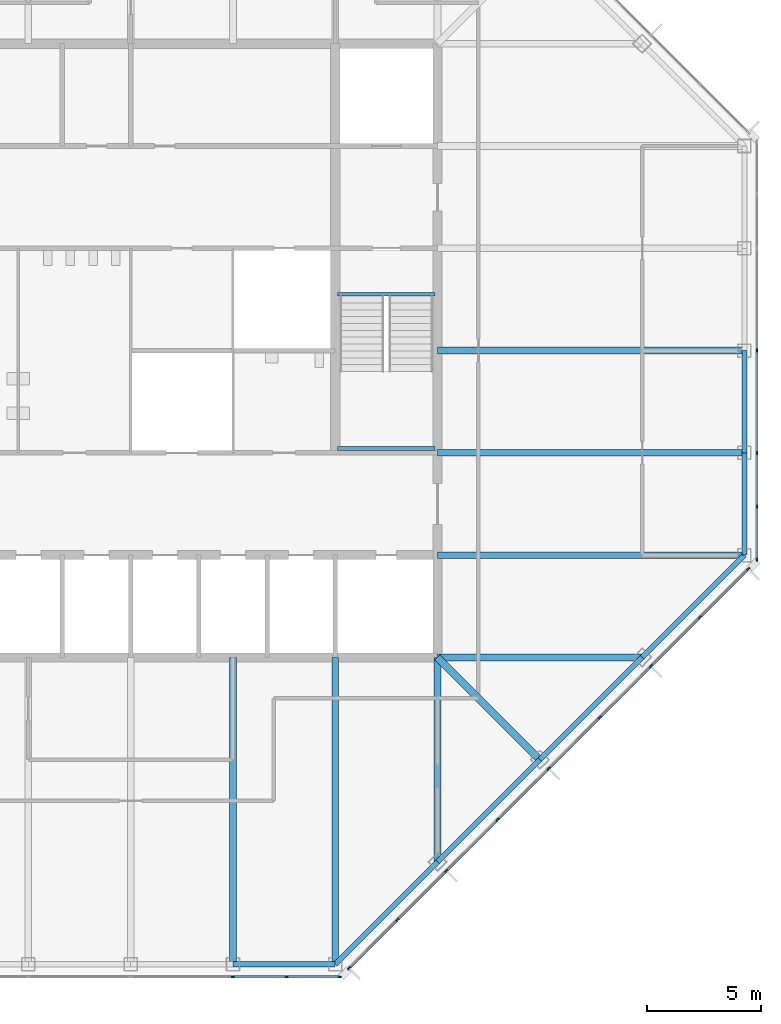
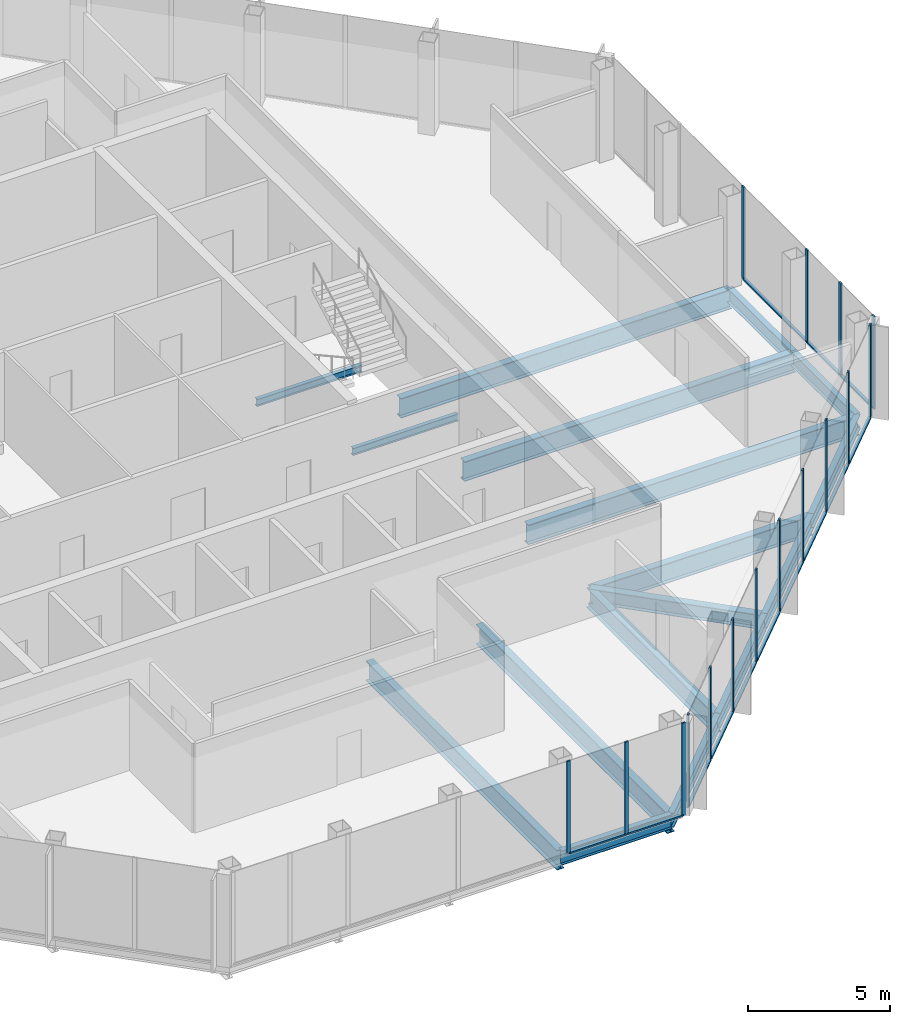
# One storey, part 4 of 14: 29 members, 17 beams, 3 elements without a shape of their own.
"""IFC4 building model written with IfcOpenShell, lengths in metres."""

import ifcopenshell
import ifcopenshell.guid

model = None  # the IFC model being written
_history = None  # IfcOwnerHistory: only IFC2X3 demands one
_inside = {}  # id of a spatial element -> (the spatial element, [elements in it])
_under = {}  # id of a project, library or spatial element -> (it, [spatial elements below it])
_declared = {}  # id of a project -> (the project, [libraries it declares])
_typed = {}  # id of a type object -> (the type object, [elements of that type])
_made_of = {}  # id of a material, layer set ... -> (it, [elements and type objects made of it])


def new_model(schema):
    """Start an empty IFC model of exactly this schema.

    Asked for "IFC4X3", IfcOpenShell would pick the latest addendum, in which some entities
    have other attributes; the version numbers below select the first issue.
    IFC2X3 requires an IfcOwnerHistory on every rooted entity: one is made here for all.
    """
    global model, _history
    if schema == "IFC4X3":
        model = ifcopenshell.file(schema_version=(4, 3, 0, 0))
    else:
        model = ifcopenshell.file(schema=schema)
    _inside.clear()
    _under.clear()
    _declared.clear()
    _typed.clear()
    _made_of.clear()
    _history = None
    if model.schema == "IFC2X3":
        org = make("IfcOrganization", Name="unknown")
        user = make(
            "IfcPersonAndOrganization",
            ThePerson=make("IfcPerson", FamilyName="unknown"),
            TheOrganization=org,
        )
        app = make(
            "IfcApplication",
            ApplicationDeveloper=org,
            Version="unknown",
            ApplicationFullName="unknown",
            ApplicationIdentifier="unknown",
        )
        _history = make(
            "IfcOwnerHistory",
            OwningUser=user,
            OwningApplication=app,
            ChangeAction="ADDED",
            CreationDate=0,
        )
    return model


def make(cls, **values):
    """One entity of the class cls with the attributes given. An attribute that is None is left unset."""
    return model.create_entity(
        cls, **{name: value for name, value in values.items() if value is not None}
    )


def rooted(cls, **values):
    """An entity with a GlobalId (a new one), such as an element, a storey or a relation."""
    return make(cls, GlobalId=ifcopenshell.guid.new(), OwnerHistory=_history, **values)


def si_unit(unit_type, name, prefix=None):
    """IfcSIUnit, for example si_unit("LENGTHUNIT", "METRE", prefix="MILLI")."""
    return make("IfcSIUnit", UnitType=unit_type, Prefix=prefix, Name=name)


def assignment(units):
    """IfcUnitAssignment: the units of a project."""
    return None if units is None else make("IfcUnitAssignment", Units=units)


def point(xyz):
    """IfcCartesianPoint."""
    return None if xyz is None else make("IfcCartesianPoint", Coordinates=xyz)


def direction(xyz):
    """IfcDirection."""
    return None if xyz is None else make("IfcDirection", DirectionRatios=xyz)


def frame(location, z_axis=None, x_axis=None):
    """IfcAxis2Placement3D, a coordinate frame: its origin and axes. An axis left out is left unset."""
    return make(
        "IfcAxis2Placement3D",
        Location=point(location),
        Axis=direction(z_axis),
        RefDirection=direction(x_axis),
    )


def frame_2d(location, x_axis=None):
    """IfcAxis2Placement2D, a coordinate frame in the plane: its origin and x axis."""
    return make(
        "IfcAxis2Placement2D", Location=point(location), RefDirection=direction(x_axis)
    )


def origin():
    """The frame at (0, 0, 0) with its axes left unset."""
    return frame((0.0, 0.0, 0.0))


def origin_2d():
    """The frame at (0, 0) in the plane with its x axis left unset."""
    return frame_2d((0.0, 0.0))


def place(relative_to, where):
    """IfcLocalPlacement: puts the frame where relative to a parent placement (None: the world)."""
    return make(
        "IfcLocalPlacement", PlacementRelTo=relative_to, RelativePlacement=where
    )


def context(
    kind, dimensions, precision=None, world=None, true_north=None, identifier=None
):
    """IfcGeometricRepresentationContext, for example the 3D "Model" context."""
    return make(
        "IfcGeometricRepresentationContext",
        ContextIdentifier=identifier,
        ContextType=kind,
        CoordinateSpaceDimension=dimensions,
        Precision=precision,
        WorldCoordinateSystem=world,
        TrueNorth=true_north,
    )


def subcontext(parent, identifier, kind, view, scale=None):
    """IfcGeometricRepresentationSubContext, for example "Body" below "Model"."""
    return make(
        "IfcGeometricRepresentationSubContext",
        ContextIdentifier=identifier,
        ContextType=kind,
        ParentContext=parent,
        TargetScale=scale,
        TargetView=view,
    )


def project(units=None, contexts=None):
    """IfcProject with its units and contexts."""
    return rooted(
        "IfcProject",
        Name="project",
        RepresentationContexts=contexts,
        UnitsInContext=assignment(units),
    )


def spatial(cls, under=None, at=None, **own):
    """A site, building, storey or space (cls), placed at a placement, below another one or the project."""
    s = rooted(cls, ObjectPlacement=at, **own)
    if under is not None:
        _under.setdefault(under.id(), (under, []))[1].append(s)
    return s


def profile(cls, at=None, kind="AREA", **sizes):
    """A parametric profile (cls). Its sizes go by their IFC names, for example OverallWidth=200.0."""
    return make(cls, ProfileType=kind, Position=at, **sizes)


def rectangle(**sizes):
    """IfcRectangleProfileDef."""
    return profile("IfcRectangleProfileDef", **sizes)


def i_section(**sizes):
    """IfcIShapeProfileDef."""
    return profile("IfcIShapeProfileDef", **sizes)


def extrude(swept, where, along, depth):
    """IfcExtrudedAreaSolid: the profile swept, set in the frame where, extruded along a direction by depth."""
    return make(
        "IfcExtrudedAreaSolid",
        SweptArea=swept,
        Position=where,
        ExtrudedDirection=direction(along),
        Depth=depth,
    )


def shape(context_of_items, identifier, shape_type, items):
    """IfcShapeRepresentation: the items that make up one representation, for example the "Body"."""
    return make(
        "IfcShapeRepresentation",
        ContextOfItems=context_of_items,
        RepresentationIdentifier=identifier,
        RepresentationType=shape_type,
        Items=items,
    )


def material(Name=None, Category=None):
    """IfcMaterial."""
    return make("IfcMaterial", Name=Name, Category=Category)


def material_profile(
    of_material, cross_section, Name=None, Category=None, Priority=None
):
    """IfcMaterialProfile: a cross section and its material."""
    return make(
        "IfcMaterialProfile",
        Name=Name,
        Material=of_material,
        Profile=cross_section,
        Priority=Priority,
        Category=Category,
    )


def profile_set(profiles, Name=None, composite=None):
    """IfcMaterialProfileSet."""
    return make(
        "IfcMaterialProfileSet",
        Name=Name,
        MaterialProfiles=profiles,
        CompositeProfile=composite,
    )


def made_of(thing, what):
    """Note that an element or type object is made of a material, layer set ...; save() writes the relation."""
    if what is not None:
        _made_of.setdefault(what.id(), (what, []))[1].append(thing)
    return thing


def type_object(cls, material=None, **own):
    """A type object (cls), such as IfcWallType, which elements share."""
    return made_of(rooted(cls, **own), material)


def element(
    cls,
    number,
    at=None,
    inside=None,
    cuts=None,
    type_object=None,
    material=None,
    context=None,
    identifier="Body",
    shape_type=None,
    held_by="IfcProductDefinitionShape",
    body=None,
    shapes=None,
    **own,
):
    """One element of the class cls, such as IfcWall. Its Tag is "e" and its number.

    at: its placement. inside: the storey or other place that contains it. cuts: it is an
    opening in that element (IfcRelVoidsElement). A single representation is given by context,
    identifier, shape_type and body (its items); several are given by shapes. held_by: the class
    of the entity that holds the representations. save() writes the other relations.
    """
    e = rooted(cls, Tag="e%d" % number, ObjectPlacement=at, **own)
    if body is not None:
        shapes = [shape(context, identifier, shape_type, body)]
    if shapes is not None:
        e.Representation = make(held_by, Representations=shapes)
    if inside is not None:
        _inside.setdefault(inside.id(), (inside, []))[1].append(e)
    if cuts is not None:
        rooted(
            "IfcRelVoidsElement", RelatingBuildingElement=cuts, RelatedOpeningElement=e
        )
    if type_object is not None:
        _typed.setdefault(type_object.id(), (type_object, []))[1].append(e)
    return made_of(e, material)


def aggregate(whole, parts):
    """IfcRelAggregates: a whole, such as a stair, and the parts it consists of."""
    return rooted("IfcRelAggregates", RelatingObject=whole, RelatedObjects=parts)


def save(model, path):
    """Write the relations noted so far, then the file.

    IfcRelAggregates (storeys below a building ...), IfcRelContainedInSpatialStructure (elements
    in a storey), IfcRelDefinesByType, IfcRelAssociatesMaterial and IfcRelDeclares: one each for
    every whole, place, type object, material and project.
    """
    for whole, parts in _under.values():
        aggregate(whole, parts)
    for where, things in _inside.values():
        rooted(
            "IfcRelContainedInSpatialStructure",
            RelatedElements=things,
            RelatingStructure=where,
        )
    for kind, things in _typed.values():
        rooted("IfcRelDefinesByType", RelatedObjects=things, RelatingType=kind)
    for what, things in _made_of.values():
        rooted("IfcRelAssociatesMaterial", RelatedObjects=things, RelatingMaterial=what)
    for by, libraries in _declared.values():
        rooted("IfcRelDeclares", RelatingContext=by, RelatedDefinitions=libraries)
    model.write(path)


model = new_model("IFC4")

# Units and contexts
model_context = context("Model", 3, precision=1e-05, world=origin(), true_north=direction((0.0, 1.0)))
body_context = subcontext(model_context, "Body", "Model", "MODEL_VIEW")
ifc_project = project(units=[si_unit("LENGTHUNIT", "METRE"), si_unit("AREAUNIT", "SQUARE_METRE"), si_unit("VOLUMEUNIT", "CUBIC_METRE"), si_unit("PLANEANGLEUNIT", "RADIAN"), si_unit("MASSUNIT", "GRAM", prefix="KILO")], contexts=[model_context])

# Site, building, storey
site_placement = place(None, origin())
site = spatial("IfcSite", under=ifc_project, at=site_placement, CompositionType="ELEMENT")
building_placement = place(site_placement, origin())
building = spatial("IfcBuilding", under=site, at=building_placement, Name="Corais Broadcast Tower", CompositionType="ELEMENT")
storey_placement = place(building_placement, frame((0.0, 0.0, 262.60009765625)))
storey = spatial("IfcBuildingStorey", under=building, at=storey_placement, Name="L61", CompositionType="ELEMENT", Elevation=262.60009765625)

# Beams
ifc_material_1 = material(Name="Steel ASTM A572 Grade 50", Category="steel")
ifc_material_profile_1 = material_profile(ifc_material_1, i_section(OverallWidth=0.323974609375, OverallDepth=0.611083984375, WebThickness=0.0126953125, FlangeThickness=0.01904296875, at=origin_2d()), Name="W610x155")
ifc_profile_set_1 = profile_set([ifc_material_profile_1], Name="Steel ASTM A572 Grade 50")
beam_type_1 = type_object("IfcBeamType", Name="Corner diagonal W610x155", PredefinedType="BEAM", material=ifc_profile_set_1)
beam_1_placement = place(storey_placement, frame((45.0, 9.0, -0.465576171875), z_axis=(-0.707106781187, 0.707106781187, 0.0), x_axis=(-0.707106781187, -0.707106781187, 0.0)))
element("IfcBeam", 1, at=beam_1_placement, inside=storey, type_object=beam_type_1, Name="B6 C/13 to D/12", PredefinedType="BEAM", context=body_context, shape_type="SweptSolid", body=[
    extrude(i_section(OverallWidth=0.323974609375, OverallDepth=0.611083984375, WebThickness=0.0126953125, FlangeThickness=0.01904296875, at=origin_2d()), origin(), (0.0, 0.0, 1.0), 6.364013671875),
])
ifc_material_2 = material(Name="Steel ASTM A572 Grade 50", Category="steel")
ifc_material_profile_2 = material_profile(ifc_material_2, i_section(OverallWidth=0.2939453125, OverallDepth=0.85107421875, WebThickness=0.01611328125, FlangeThickness=0.02685546875, at=origin_2d()), Name="W840x226")
ifc_profile_set_2 = profile_set([ifc_material_profile_2], Name="Steel ASTM A572 Grade 50")
beam_type_2 = type_object("IfcBeamType", Name="Floor beam W840x226", PredefinedType="BEAM", material=ifc_profile_set_2)
for number, where, z_axis, x_axis, name in (
    (2, (31.5, 0.0, -0.585693359375), (0.0, 1.0, 0.0), (-1.0, 0.0, 0.0), "B1 A/10 to D/10"),
    (3, (36.0, 0.0, -0.585693359375), (0.0, 1.0, 0.0), (-1.0, 0.0, 0.0), "B1 A/11 to D/11"),
):
    element("IfcBeam", number, at=place(storey_placement, frame(where, z_axis=z_axis, x_axis=x_axis)), inside=storey, type_object=beam_type_2, Name=name, PredefinedType="BEAM", context=body_context, shape_type="SweptSolid", body=[
        extrude(i_section(OverallWidth=0.2939453125, OverallDepth=0.85107421875, WebThickness=0.01611328125, FlangeThickness=0.02685546875, at=origin_2d()), origin(), (0.0, 0.0, 1.0), 13.5),
    ])
for number, where, z_axis, x_axis, name in (
    (4, (40.5, 4.5, -0.585693359375), (0.0, 1.0, 0.0), (-1.0, 0.0, 0.0), "B1 B/12 to D/12"),
    (5, (49.5, 13.5, -0.585693359375), (-1.0, 0.0, 0.0), (0.0, -1.0, 0.0), "B1 D/14 to D/12"),
):
    element("IfcBeam", number, at=place(storey_placement, frame(where, z_axis=z_axis, x_axis=x_axis)), inside=storey, type_object=beam_type_2, Name=name, PredefinedType="BEAM", context=body_context, shape_type="SweptSolid", body=[
        extrude(i_section(OverallWidth=0.2939453125, OverallDepth=0.85107421875, WebThickness=0.01611328125, FlangeThickness=0.02685546875, at=origin_2d()), origin(), (0.0, 0.0, 1.0), 9.0),
    ])
for number, where, z_axis, x_axis, name in (
    (6, (54.0, 18.0, -0.585693359375), (-1.0, 0.0, 0.0), (0.0, -1.0, 0.0), "B1 E/15 to E/12"),
    (7, (54.0, 22.5, -0.585693359375), (-1.0, 0.0, 0.0), (0.0, -1.0, 0.0), "B1 F/15 to F/12"),
    (8, (54.0, 27.0, -0.585693359375), (-1.0, 0.0, 0.0), (0.0, -1.0, 0.0), "B1 G/15 to G/12"),
):
    element("IfcBeam", number, at=place(storey_placement, frame(where, z_axis=z_axis, x_axis=x_axis)), inside=storey, type_object=beam_type_2, Name=name, PredefinedType="BEAM", context=body_context, shape_type="SweptSolid", body=[
        extrude(i_section(OverallWidth=0.2939453125, OverallDepth=0.85107421875, WebThickness=0.01611328125, FlangeThickness=0.02685546875, at=origin_2d()), origin(), (0.0, 0.0, 1.0), 13.5),
    ])
ifc_material_3 = material(Name="Steel ASTM A572 Grade 50", Category="steel")
ifc_material_profile_3 = material_profile(ifc_material_3, i_section(OverallWidth=0.1650390625, OverallDepth=0.31005859375, WebThickness=0.005859375, FlangeThickness=0.009765625, at=origin_2d()), Name="W310x38.7")
ifc_profile_set_3 = profile_set([ifc_material_profile_3], Name="Steel ASTM A572 Grade 50")
beam_type_3 = type_object("IfcBeamType", Name="Landing trimmer W310x38.7", PredefinedType="BEAM", material=ifc_profile_set_3)
for number, where, z_axis, x_axis, name in (
    (9, (36.10009765625, 29.47509765625, -0.35498046875), (1.0, 0.0, 0.0), (0.0, 1.0, 0.0), "LT1 stair B landing trimmer L61"),
    (10, (36.10009765625, 22.68994140625, 1.64501953125), (1.0, 0.0, 0.0), (0.0, 1.0, 0.0), "LT1 stair B half landing trimmer L61"),
):
    element("IfcBeam", number, at=place(storey_placement, frame(where, z_axis=z_axis, x_axis=x_axis)), inside=storey, type_object=beam_type_3, Name=name, PredefinedType="BEAM", context=body_context, shape_type="SweptSolid", body=[
        extrude(i_section(OverallWidth=0.1650390625, OverallDepth=0.31005859375, WebThickness=0.005859375, FlangeThickness=0.009765625, at=origin_2d()), origin(), (0.0, 0.0, 1.0), 4.2998046875),
    ])

# Curtain wall, members
ifc_material_4 = material(Name="Aluminium and glass", Category="aluminium")
curtain_wall_type = type_object("IfcCurtainWallType", Name="Unitised fritted curtain wall CW3", PredefinedType="NOTDEFINED", material=ifc_material_4)
curtain_wall_1_placement = place(storey_placement, origin())
curtain_wall_1 = element("IfcCurtainWall", 11, at=curtain_wall_1_placement, inside=storey, type_object=curtain_wall_type, Name="CW3 curtain wall L61 6", PredefinedType="NOTDEFINED")
ifc_material_5 = material(Name="Aluminium 6063-T6", Category="aluminium")
ifc_material_profile_4 = material_profile(ifc_material_5, rectangle(XDim=0.06494140625, YDim=0.159912109375, at=origin_2d()), Name="Mullion CW3 65x160")
ifc_profile_set_4 = profile_set([ifc_material_profile_4], Name="Aluminium 6063-T6")
member_type_1 = type_object("IfcMemberType", Name="Mullion CW3 65x160", PredefinedType="MULLION", material=ifc_profile_set_4)
member_1_placement = place(storey_placement, frame((54.550048828125, 27.0, 0.0), z_axis=(0.0, 0.0, 1.0), x_axis=(1.0, 0.0, 0.0)))
member_1 = element("IfcMember", 12, at=member_1_placement, type_object=member_type_1, Name="CW3 mullion 4", PredefinedType="MULLION", context=body_context, shape_type="SweptSolid", body=[
    extrude(rectangle(XDim=0.06494140625, YDim=0.159912109375, at=origin_2d()), origin(), (0.0, 0.0, 1.0), 4.0),
])
member_2_placement = place(storey_placement, frame((54.550048828125, 22.5, 0.0), z_axis=(0.0, 0.0, 1.0), x_axis=(1.0, 0.0, 0.0)))
member_2 = element("IfcMember", 13, at=member_2_placement, type_object=member_type_1, Name="CW3 mullion 5", PredefinedType="MULLION", context=body_context, shape_type="SweptSolid", body=[
    extrude(rectangle(XDim=0.06494140625, YDim=0.159912109375, at=origin_2d()), origin(), (0.0, 0.0, 1.0), 4.0),
])
member_3_placement = place(storey_placement, frame((54.550048828125, 20.135986328125, 0.0), z_axis=(0.0, 0.0, 1.0), x_axis=(1.0, 0.0, 0.0)))
member_3 = element("IfcMember", 14, at=member_3_placement, type_object=member_type_1, Name="CW3 mullion 6", PredefinedType="MULLION", context=body_context, shape_type="SweptSolid", body=[
    extrude(rectangle(XDim=0.06494140625, YDim=0.159912109375, at=origin_2d()), origin(), (0.0, 0.0, 1.0), 4.0),
])
member_4_placement = place(storey_placement, frame((54.550048828125, 17.8046875, 0.0), z_axis=(0.0, 0.0, 1.0), x_axis=(1.0, 0.0, 0.0)))
member_4 = element("IfcMember", 15, at=member_4_placement, type_object=member_type_1, Name="CW3 mullion 7", PredefinedType="MULLION", context=body_context, shape_type="SweptSolid", body=[
    extrude(rectangle(XDim=0.06494140625, YDim=0.159912109375, at=origin_2d()), origin(), (0.0, 0.0, 1.0), 4.0),
])

curtain_wall_2_placement = place(storey_placement, origin())
curtain_wall_2 = element("IfcCurtainWall", 16, at=curtain_wall_2_placement, inside=storey, type_object=curtain_wall_type, Name="CW3 curtain wall L61 7", PredefinedType="NOTDEFINED")
member_5_placement = place(storey_placement, frame((54.17333984375, 17.3955078125, 0.0), z_axis=(0.0, 0.0, 1.0), x_axis=(0.707106781187, -0.707106781187, 0.0)))
member_5 = element("IfcMember", 17, at=member_5_placement, type_object=member_type_1, Name="CW3 mullion 1", PredefinedType="MULLION", context=body_context, shape_type="SweptSolid", body=[
    extrude(rectangle(XDim=0.06494140625, YDim=0.159912109375, at=origin_2d()), origin(), (0.0, 0.0, 1.0), 4.0),
])
member_6_placement = place(storey_placement, frame((52.042724609375, 15.264892578125, 0.0), z_axis=(0.0, 0.0, 1.0), x_axis=(0.707106781187, -0.707106781187, 0.0)))
member_6 = element("IfcMember", 18, at=member_6_placement, type_object=member_type_1, Name="CW3 mullion 2", PredefinedType="MULLION", context=body_context, shape_type="SweptSolid", body=[
    extrude(rectangle(XDim=0.06494140625, YDim=0.159912109375, at=origin_2d()), origin(), (0.0, 0.0, 1.0), 4.0),
])
member_7_placement = place(storey_placement, frame((49.888916015625, 13.111083984375, 0.0), z_axis=(0.0, 0.0, 1.0), x_axis=(0.707106781187, -0.707106781187, 0.0)))
member_7 = element("IfcMember", 19, at=member_7_placement, type_object=member_type_1, Name="CW3 mullion 3", PredefinedType="MULLION", context=body_context, shape_type="SweptSolid", body=[
    extrude(rectangle(XDim=0.06494140625, YDim=0.159912109375, at=origin_2d()), origin(), (0.0, 0.0, 1.0), 4.0),
])
member_8_placement = place(storey_placement, frame((47.638916015625, 10.861083984375, 0.0), z_axis=(0.0, 0.0, 1.0), x_axis=(0.707106781187, -0.707106781187, 0.0)))
member_8 = element("IfcMember", 20, at=member_8_placement, type_object=member_type_1, Name="CW3 mullion 4", PredefinedType="MULLION", context=body_context, shape_type="SweptSolid", body=[
    extrude(rectangle(XDim=0.06494140625, YDim=0.159912109375, at=origin_2d()), origin(), (0.0, 0.0, 1.0), 4.0),
])
member_9_placement = place(storey_placement, frame((45.388916015625, 8.611083984375, 0.0), z_axis=(0.0, 0.0, 1.0), x_axis=(0.707106781187, -0.707106781187, 0.0)))
member_9 = element("IfcMember", 21, at=member_9_placement, type_object=member_type_1, Name="CW3 mullion 5", PredefinedType="MULLION", context=body_context, shape_type="SweptSolid", body=[
    extrude(rectangle(XDim=0.06494140625, YDim=0.159912109375, at=origin_2d()), origin(), (0.0, 0.0, 1.0), 4.0),
])
member_10_placement = place(storey_placement, frame((43.138916015625, 6.361083984375, 0.0), z_axis=(0.0, 0.0, 1.0), x_axis=(0.707106781187, -0.707106781187, 0.0)))
member_10 = element("IfcMember", 22, at=member_10_placement, type_object=member_type_1, Name="CW3 mullion 6", PredefinedType="MULLION", context=body_context, shape_type="SweptSolid", body=[
    extrude(rectangle(XDim=0.06494140625, YDim=0.159912109375, at=origin_2d()), origin(), (0.0, 0.0, 1.0), 4.0),
])
member_11_placement = place(storey_placement, frame((40.888916015625, 4.111083984375, 0.0), z_axis=(0.0, 0.0, 1.0), x_axis=(0.707106781187, -0.707106781187, 0.0)))
member_11 = element("IfcMember", 23, at=member_11_placement, type_object=member_type_1, Name="CW3 mullion 7", PredefinedType="MULLION", context=body_context, shape_type="SweptSolid", body=[
    extrude(rectangle(XDim=0.06494140625, YDim=0.159912109375, at=origin_2d()), origin(), (0.0, 0.0, 1.0), 4.0),
])
member_12_placement = place(storey_placement, frame((38.735107421875, 1.957275390625, 0.0), z_axis=(0.0, 0.0, 1.0), x_axis=(0.707106781187, -0.707106781187, 0.0)))
member_12 = element("IfcMember", 24, at=member_12_placement, type_object=member_type_1, Name="CW3 mullion 8", PredefinedType="MULLION", context=body_context, shape_type="SweptSolid", body=[
    extrude(rectangle(XDim=0.06494140625, YDim=0.159912109375, at=origin_2d()), origin(), (0.0, 0.0, 1.0), 4.0),
])
member_13_placement = place(storey_placement, frame((36.6044921875, -0.17333984375, 0.0), z_axis=(0.0, 0.0, 1.0), x_axis=(0.707106781187, -0.707106781187, 0.0)))
member_13 = element("IfcMember", 25, at=member_13_placement, type_object=member_type_1, Name="CW3 mullion 9", PredefinedType="MULLION", context=body_context, shape_type="SweptSolid", body=[
    extrude(rectangle(XDim=0.06494140625, YDim=0.159912109375, at=origin_2d()), origin(), (0.0, 0.0, 1.0), 4.0),
])

curtain_wall_3_placement = place(storey_placement, origin())
curtain_wall_3 = element("IfcCurtainWall", 26, at=curtain_wall_3_placement, inside=storey, type_object=curtain_wall_type, Name="CW3 curtain wall L61 8", PredefinedType="NOTDEFINED")
member_14_placement = place(storey_placement, frame((36.1953125, -0.550048828125, 0.0), z_axis=(0.0, 0.0, 1.0), x_axis=(0.0, -1.0, 0.0)))
member_14 = element("IfcMember", 27, at=member_14_placement, type_object=member_type_1, Name="CW3 mullion 1", PredefinedType="MULLION", context=body_context, shape_type="SweptSolid", body=[
    extrude(rectangle(XDim=0.06494140625, YDim=0.159912109375, at=origin_2d()), origin(), (0.0, 0.0, 1.0), 4.0),
])
member_15_placement = place(storey_placement, frame((33.864013671875, -0.550048828125, 0.0), z_axis=(0.0, 0.0, 1.0), x_axis=(0.0, -1.0, 0.0)))
member_15 = element("IfcMember", 28, at=member_15_placement, type_object=member_type_1, Name="CW3 mullion 2", PredefinedType="MULLION", context=body_context, shape_type="SweptSolid", body=[
    extrude(rectangle(XDim=0.06494140625, YDim=0.159912109375, at=origin_2d()), origin(), (0.0, 0.0, 1.0), 4.0),
])
member_16_placement = place(storey_placement, frame((31.5, -0.550048828125, 0.0), z_axis=(0.0, 0.0, 1.0), x_axis=(0.0, -1.0, 0.0)))
member_16 = element("IfcMember", 29, at=member_16_placement, type_object=member_type_1, Name="CW3 mullion 3", PredefinedType="MULLION", context=body_context, shape_type="SweptSolid", body=[
    extrude(rectangle(XDim=0.06494140625, YDim=0.159912109375, at=origin_2d()), origin(), (0.0, 0.0, 1.0), 4.0),
])

# Beams
ifc_material_6 = material(Name="Steel ASTM A572 Grade 50", Category="steel")
ifc_material_profile_5 = material_profile(ifc_material_6, i_section(OverallWidth=0.22998046875, OverallDepth=0.616943359375, WebThickness=0.01318359375, FlangeThickness=0.022216796875, at=origin_2d()), Name="W610x140")
ifc_profile_set_5 = profile_set([ifc_material_profile_5], Name="Steel ASTM A572 Grade 50")
beam_type_4 = type_object("IfcBeamType", Name="Spandrel W610x140", PredefinedType="BEAM", material=ifc_profile_set_5)
beam_2_placement = place(storey_placement, frame((31.5, 0.0, -0.468505859375), z_axis=(1.0, 0.0, 0.0), x_axis=(0.0, 1.0, 0.0)))
element("IfcBeam", 30, at=beam_2_placement, inside=storey, type_object=beam_type_4, Name="SB3 A/10 to A/11", PredefinedType="BEAM", context=body_context, shape_type="SweptSolid", body=[
    extrude(i_section(OverallWidth=0.22998046875, OverallDepth=0.616943359375, WebThickness=0.01318359375, FlangeThickness=0.022216796875, at=origin_2d()), origin(), (0.0, 0.0, 1.0), 4.5),
])
for number, where, z_axis, x_axis, name in (
    (31, (36.0, 0.0, -0.468505859375), (0.707106781187, 0.707106781187, 0.0), (-0.707106781187, 0.707106781187, 0.0), "SB3 A/11 to B/12"),
    (32, (40.5, 4.5, -0.468505859375), (0.707106781187, 0.707106781187, 0.0), (-0.707106781187, 0.707106781187, 0.0), "SB3 B/12 to C/13"),
    (33, (45.0, 9.0, -0.468505859375), (0.707106781187, 0.707106781187, 0.0), (-0.707106781187, 0.707106781187, 0.0), "SB3 C/13 to D/14"),
    (34, (49.5, 13.5, -0.468505859375), (0.707106781187, 0.707106781187, 0.0), (-0.707106781187, 0.707106781187, 0.0), "SB3 D/14 to E/15"),
):
    element("IfcBeam", number, at=place(storey_placement, frame(where, z_axis=z_axis, x_axis=x_axis)), inside=storey, type_object=beam_type_4, Name=name, PredefinedType="BEAM", context=body_context, shape_type="SweptSolid", body=[
        extrude(i_section(OverallWidth=0.22998046875, OverallDepth=0.616943359375, WebThickness=0.01318359375, FlangeThickness=0.022216796875, at=origin_2d()), origin(), (0.0, 0.0, 1.0), 6.364013671875),
    ])
for number, where, z_axis, x_axis, name in (
    (35, (54.0, 18.0, -0.468505859375), (0.0, 1.0, 0.0), (-1.0, 0.0, 0.0), "SB3 E/15 to F/15"),
    (36, (54.0, 22.5, -0.468505859375), (0.0, 1.0, 0.0), (-1.0, 0.0, 0.0), "SB3 F/15 to G/15"),
):
    element("IfcBeam", number, at=place(storey_placement, frame(where, z_axis=z_axis, x_axis=x_axis)), inside=storey, type_object=beam_type_4, Name=name, PredefinedType="BEAM", context=body_context, shape_type="SweptSolid", body=[
        extrude(i_section(OverallWidth=0.22998046875, OverallDepth=0.616943359375, WebThickness=0.01318359375, FlangeThickness=0.022216796875, at=origin_2d()), origin(), (0.0, 0.0, 1.0), 4.5),
    ])

# Member
ifc_material_7 = material(Name="Aluminium 6063-T6", Category="aluminium")
ifc_material_profile_6 = material_profile(ifc_material_7, rectangle(XDim=0.1201171875, YDim=0.06494140625, at=origin_2d()), Name="Transom CW3 65x120")
ifc_profile_set_6 = profile_set([ifc_material_profile_6], Name="Aluminium 6063-T6")
member_type_2 = type_object("IfcMemberType", Name="Transom CW3 65x120", PredefinedType="USERDEFINED", material=ifc_profile_set_6)
member_17_placement = place(storey_placement, frame((54.550048828125, 26.967529296875, 0.032470703125), z_axis=(0.0, -1.0, 0.0), x_axis=(1.0, 0.0, 0.0)))
member_17 = element("IfcMember", 37, at=member_17_placement, type_object=member_type_2, Name="CW3 transom 4.1", ObjectType="TRANSOM", PredefinedType="USERDEFINED", context=body_context, shape_type="SweptSolid", body=[
    extrude(rectangle(XDim=0.1201171875, YDim=0.06494140625, at=origin_2d()), origin(), (0.0, 0.0, 1.0), 4.43505859375),
])

member_18_placement = place(storey_placement, frame((54.550048828125, 22.467529296875, 0.032470703125), z_axis=(0.0, -1.0, 0.0), x_axis=(1.0, 0.0, 0.0)))
member_18 = element("IfcMember", 38, at=member_18_placement, type_object=member_type_2, Name="CW3 transom 5.1", ObjectType="TRANSOM", PredefinedType="USERDEFINED", context=body_context, shape_type="SweptSolid", body=[
    extrude(rectangle(XDim=0.1201171875, YDim=0.06494140625, at=origin_2d()), origin(), (0.0, 0.0, 1.0), 2.298828125),
])

member_19_placement = place(storey_placement, frame((54.550048828125, 20.103515625, 0.032470703125), z_axis=(0.0, -1.0, 0.0), x_axis=(1.0, 0.0, 0.0)))
member_19 = element("IfcMember", 39, at=member_19_placement, type_object=member_type_2, Name="CW3 transom 6.1", ObjectType="TRANSOM", PredefinedType="USERDEFINED", context=body_context, shape_type="SweptSolid", body=[
    extrude(rectangle(XDim=0.1201171875, YDim=0.06494140625, at=origin_2d()), origin(), (0.0, 0.0, 1.0), 2.266357421875),
])

aggregate(curtain_wall_1, [member_1, member_2, member_3, member_4, member_17, member_18, member_19])

member_20_placement = place(storey_placement, frame((54.150390625, 17.37255859375, 0.032470703125), z_axis=(-0.707106781187, -0.707106781187, 0.0), x_axis=(0.707106781187, -0.707106781187, 0.0)))
member_20 = element("IfcMember", 40, at=member_20_placement, type_object=member_type_2, Name="CW3 transom 1.1", ObjectType="TRANSOM", PredefinedType="USERDEFINED", context=body_context, shape_type="SweptSolid", body=[
    extrude(rectangle(XDim=0.1201171875, YDim=0.06494140625, at=origin_2d()), origin(), (0.0, 0.0, 1.0), 2.9482421875),
])

member_21_placement = place(storey_placement, frame((52.019775390625, 15.241943359375, 0.032470703125), z_axis=(-0.707106781187, -0.707106781187, 0.0), x_axis=(0.707106781187, -0.707106781187, 0.0)))
member_21 = element("IfcMember", 41, at=member_21_placement, type_object=member_type_2, Name="CW3 transom 2.1", ObjectType="TRANSOM", PredefinedType="USERDEFINED", context=body_context, shape_type="SweptSolid", body=[
    extrude(rectangle(XDim=0.1201171875, YDim=0.06494140625, at=origin_2d()), origin(), (0.0, 0.0, 1.0), 2.98095703125),
])

member_22_placement = place(storey_placement, frame((49.865966796875, 13.088134765625, 0.032470703125), z_axis=(-0.707106781187, -0.707106781187, 0.0), x_axis=(0.707106781187, -0.707106781187, 0.0)))
member_22 = element("IfcMember", 42, at=member_22_placement, type_object=member_type_2, Name="CW3 transom 3.1", ObjectType="TRANSOM", PredefinedType="USERDEFINED", context=body_context, shape_type="SweptSolid", body=[
    extrude(rectangle(XDim=0.1201171875, YDim=0.06494140625, at=origin_2d()), origin(), (0.0, 0.0, 1.0), 3.1171875),
])

member_23_placement = place(storey_placement, frame((47.615966796875, 10.838134765625, 0.032470703125), z_axis=(-0.707106781187, -0.707106781187, 0.0), x_axis=(0.707106781187, -0.707106781187, 0.0)))
member_23 = element("IfcMember", 43, at=member_23_placement, type_object=member_type_2, Name="CW3 transom 4.1", ObjectType="TRANSOM", PredefinedType="USERDEFINED", context=body_context, shape_type="SweptSolid", body=[
    extrude(rectangle(XDim=0.1201171875, YDim=0.06494140625, at=origin_2d()), origin(), (0.0, 0.0, 1.0), 3.1171875),
])

member_24_placement = place(storey_placement, frame((45.365966796875, 8.588134765625, 0.032470703125), z_axis=(-0.707106781187, -0.707106781187, 0.0), x_axis=(0.707106781187, -0.707106781187, 0.0)))
member_24 = element("IfcMember", 44, at=member_24_placement, type_object=member_type_2, Name="CW3 transom 5.1", ObjectType="TRANSOM", PredefinedType="USERDEFINED", context=body_context, shape_type="SweptSolid", body=[
    extrude(rectangle(XDim=0.1201171875, YDim=0.06494140625, at=origin_2d()), origin(), (0.0, 0.0, 1.0), 3.1171875),
])

member_25_placement = place(storey_placement, frame((43.115966796875, 6.338134765625, 0.032470703125), z_axis=(-0.707106781187, -0.707106781187, 0.0), x_axis=(0.707106781187, -0.707106781187, 0.0)))
member_25 = element("IfcMember", 45, at=member_25_placement, type_object=member_type_2, Name="CW3 transom 6.1", ObjectType="TRANSOM", PredefinedType="USERDEFINED", context=body_context, shape_type="SweptSolid", body=[
    extrude(rectangle(XDim=0.1201171875, YDim=0.06494140625, at=origin_2d()), origin(), (0.0, 0.0, 1.0), 3.1171875),
])

member_26_placement = place(storey_placement, frame((40.865966796875, 4.088134765625, 0.032470703125), z_axis=(-0.70714773134, -0.707065828661, 0.0), x_axis=(0.707065828661, -0.70714773134, 0.0)))
member_26 = element("IfcMember", 46, at=member_26_placement, type_object=member_type_2, Name="CW3 transom 7.1", ObjectType="TRANSOM", PredefinedType="USERDEFINED", context=body_context, shape_type="SweptSolid", body=[
    extrude(rectangle(XDim=0.1201171875, YDim=0.06494140625, at=origin_2d()), origin(), (0.0, 0.0, 1.0), 2.98095703125),
])

member_27_placement = place(storey_placement, frame((38.712158203125, 1.934326171875, 0.032470703125), z_axis=(-0.707106781187, -0.707106781187, 0.0), x_axis=(0.707106781187, -0.707106781187, 0.0)))
member_27 = element("IfcMember", 47, at=member_27_placement, type_object=member_type_2, Name="CW3 transom 8.1", ObjectType="TRANSOM", PredefinedType="USERDEFINED", context=body_context, shape_type="SweptSolid", body=[
    extrude(rectangle(XDim=0.1201171875, YDim=0.06494140625, at=origin_2d()), origin(), (0.0, 0.0, 1.0), 2.9482421875),
])

aggregate(curtain_wall_2, [member_5, member_6, member_7, member_8, member_9, member_10, member_11, member_12, member_13, member_20, member_21, member_22, member_23, member_24, member_25, member_26, member_27])

member_28_placement = place(storey_placement, frame((36.162841796875, -0.550048828125, 0.032470703125), z_axis=(-1.0, 0.0, 0.0), x_axis=(0.0, -1.0, 0.0)))
member_28 = element("IfcMember", 48, at=member_28_placement, type_object=member_type_2, Name="CW3 transom 1.1", ObjectType="TRANSOM", PredefinedType="USERDEFINED", context=body_context, shape_type="SweptSolid", body=[
    extrude(rectangle(XDim=0.1201171875, YDim=0.06494140625, at=origin_2d()), origin(), (0.0, 0.0, 1.0), 2.266357421875),
])

member_29_placement = place(storey_placement, frame((33.831298828125, -0.550048828125, 0.032470703125), z_axis=(-1.0, 0.0, 0.0), x_axis=(0.0, -1.0, 0.0)))
member_29 = element("IfcMember", 49, at=member_29_placement, type_object=member_type_2, Name="CW3 transom 2.1", ObjectType="TRANSOM", PredefinedType="USERDEFINED", context=body_context, shape_type="SweptSolid", body=[
    extrude(rectangle(XDim=0.1201171875, YDim=0.06494140625, at=origin_2d()), origin(), (0.0, 0.0, 1.0), 2.298828125),
])

aggregate(curtain_wall_3, [member_14, member_15, member_16, member_28, member_29])

save(model, "model.ifc")
